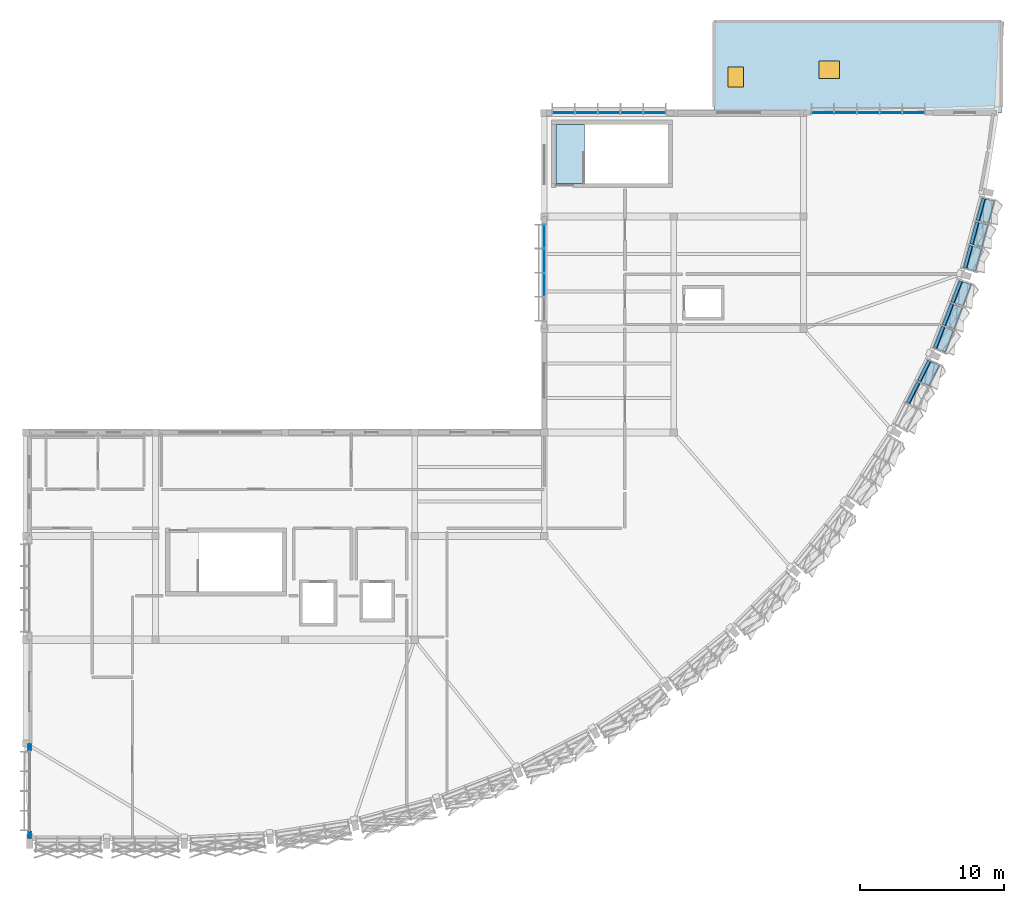
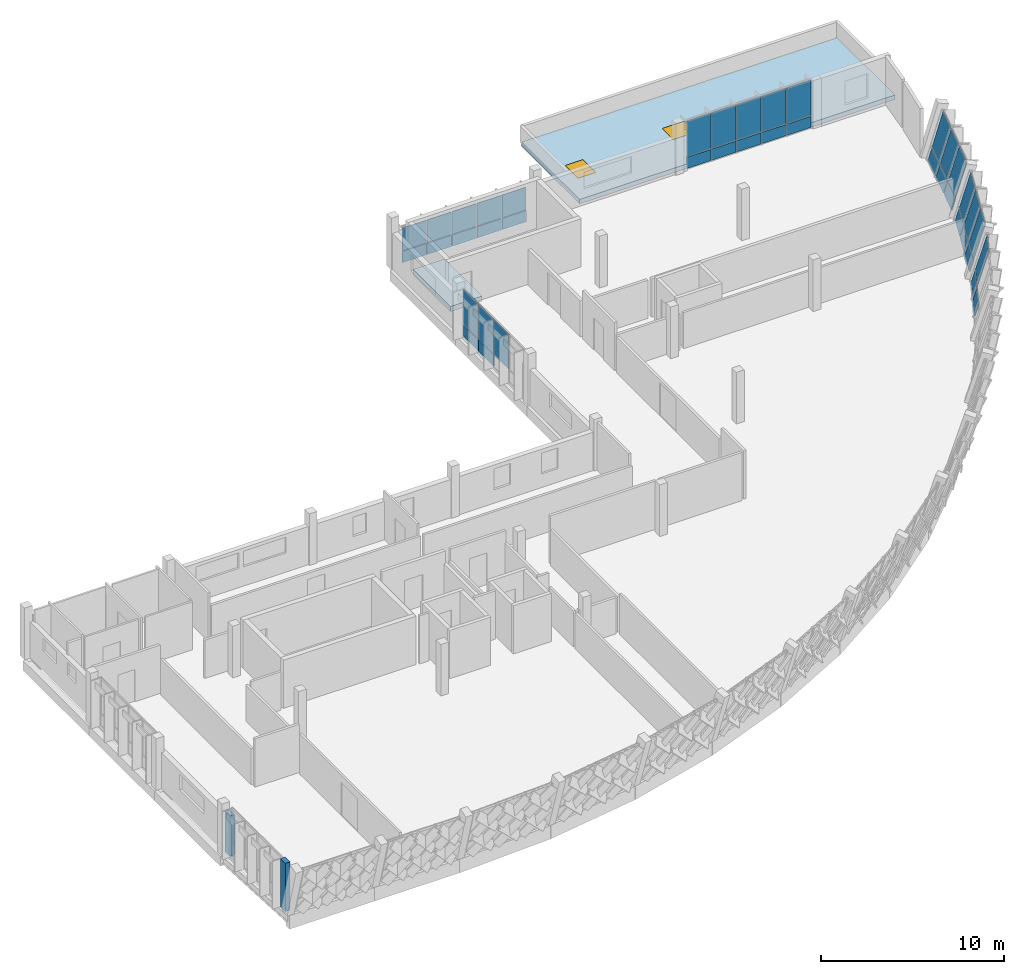
# One storey, part 20 of 24: 40 plates, 2 slabs, 2 walls, 1 door, 1 window, 2 openings, 6 elements without a shape of their own.
"""IFC4 building model written with IfcOpenShell, lengths in metres."""

from ifc_helpers import new_model, si_unit, direction, frame, frame_2d, origin, origin_2d, place, context, subcontext, project, spatial, polyline, rectangle, outline, extrude, material, layer, layer_set, type_object, element, fill, aggregate, save


model = new_model("IFC4")

# Units and contexts
model_context = context("Model", 3, precision=1e-05, world=origin(), true_north=direction((0.0, 1.0)))
body_context = subcontext(model_context, "Body", "Model", "MODEL_VIEW")
ifc_project = project(units=[si_unit("LENGTHUNIT", "METRE"), si_unit("AREAUNIT", "SQUARE_METRE"), si_unit("VOLUMEUNIT", "CUBIC_METRE"), si_unit("PLANEANGLEUNIT", "RADIAN"), si_unit("MASSUNIT", "GRAM", prefix="KILO")], contexts=[model_context])

# Site, building, storey
site_placement = place(None, origin())
site = spatial("IfcSite", under=ifc_project, at=site_placement, CompositionType="ELEMENT")
building_placement = place(site_placement, origin())
building = spatial("IfcBuilding", under=site, at=building_placement, Name="Chiffa Square Polytechnic", CompositionType="ELEMENT")
storey_placement = place(building_placement, frame((0.0, 0.0, 26.39990234375)))
storey = spatial("IfcBuildingStorey", under=building, at=storey_placement, Name="L06", CompositionType="ELEMENT", Elevation=26.39990234375)

# Curtain wall, plate
ifc_material_1 = material(Name="Aluminium EN AW-6060 T66 and glulam shading", Category="wood")
curtain_wall_type_1 = type_object("IfcCurtainWallType", Name="CW-PROW-LEAN-150", PredefinedType="USERDEFINED", material=ifc_material_1)
curtain_wall_1_placement = place(storey_placement, origin())
curtain_wall_1 = element("IfcCurtainWall", 1, at=curtain_wall_1_placement, inside=storey, type_object=curtain_wall_type_1, Name="Outward-leaning diamond-fin prow curtain wall CW-V1-L06-107", ObjectType="CURTAIN WALL", PredefinedType="USERDEFINED")
ifc_material_2 = material(Name="Double glazing", Category="glass")
ifc_layer_1 = layer(ifc_material_2, 0.0458984375, Name="Double glazing")
ifc_layer_set_1 = layer_set([ifc_layer_1], Name="Double glazing")
plate_type_1 = type_object("IfcPlateType", Name="CWP-GLZ-128X106", PredefinedType="CURTAIN_PANEL", material=ifc_layer_set_1)
plate_1_placement = place(storey_placement, frame((174.333984375, 32.31982421875, 0.878173828125), z_axis=(-0.85743101637, 0.436878351927, 0.271936312002), x_axis=(0.453983248185, 0.891010218896, -1.3819687e-05)))
plate_1 = element("IfcPlate", 2, at=plate_1_placement, type_object=plate_type_1, Name="Leaning prow curtain panel CW-V1-L06-107-PN03", PredefinedType="CURTAIN_PANEL", context=body_context, shape_type="SweptSolid", body=[
    extrude(outline(polyline([(0.0, 0.0), (1.5795953886358811, 0.0), (1.6128643226725525, -2.3817709162858582), (0.012085555915977328, -2.381725243337852), (0.0, 0.0)])), origin(), (0.0, 0.0, -1.0), 0.0458984375),
])

# Curtain wall, plates
curtain_wall_type_2 = type_object("IfcCurtainWallType", Name="CW-VERT-450X440", PredefinedType="USERDEFINED", material=ifc_material_1)
curtain_wall_2_placement = place(storey_placement, origin())
curtain_wall_2 = element("IfcCurtainWall", 3, at=curtain_wall_2_placement, inside=storey, type_object=curtain_wall_type_2, Name="Curtain wall CW-V1-L06-144", ObjectType="CURTAIN WALL", PredefinedType="USERDEFINED")
ifc_layer_2 = layer(ifc_material_2, 0.0419921875, Name="Double glazing")
ifc_layer_set_2 = layer_set([ifc_layer_2], Name="Double glazing")
plate_type_2 = type_object("IfcPlateType", Name="CWP-GLZ-138X126", PredefinedType="CURTAIN_PANEL", material=ifc_layer_set_2)
plate_2_placement = place(storey_placement, frame((148.199951171875, 42.408935546875, 0.840087890625), z_axis=(0.0, 0.0, 1.0), x_axis=(0.0, -1.0, 0.0)))
plate_2 = element("IfcPlate", 4, at=plate_2_placement, type_object=plate_type_2, Name="Glazed curtain panel CW-V1-L06-144-PN01", PredefinedType="CURTAIN_PANEL", context=body_context, shape_type="SweptSolid", body=[
    extrude(rectangle(XDim=1.60595703125, YDim=0.0419921875, at=origin_2d()), origin(), (0.0, 0.0, 1.0), 2.330078125),
])
plate_3_placement = place(storey_placement, frame((148.199951171875, 40.739990234375, 0.840087890625), z_axis=(0.0, 0.0, 1.0), x_axis=(0.0, -1.0, 0.0)))
plate_3 = element("IfcPlate", 5, at=plate_3_placement, type_object=plate_type_2, Name="Glazed curtain panel CW-V1-L06-144-PN02", PredefinedType="CURTAIN_PANEL", context=body_context, shape_type="SweptSolid", body=[
    extrude(rectangle(XDim=1.6279296875, YDim=0.0419921875, at=origin_2d()), origin(), (0.0, 0.0, 1.0), 2.330078125),
])
plate_4_placement = place(storey_placement, frame((148.199951171875, 39.06005859375, 0.840087890625), z_axis=(0.0, 0.0, 1.0), x_axis=(0.0, -1.0, 0.0)))
plate_4 = element("IfcPlate", 6, at=plate_4_placement, type_object=plate_type_2, Name="Glazed curtain panel CW-V1-L06-144-PN03", PredefinedType="CURTAIN_PANEL", context=body_context, shape_type="SweptSolid", body=[
    extrude(rectangle(XDim=1.6279296875, YDim=0.0419921875, at=origin_2d()), origin(), (0.0, 0.0, 1.0), 2.330078125),
])

curtain_wall_type_3 = type_object("IfcCurtainWallType", Name="CW-VERT-540X440", PredefinedType="USERDEFINED", material=ifc_material_1)
curtain_wall_3_placement = place(storey_placement, origin())
curtain_wall_3 = element("IfcCurtainWall", 7, at=curtain_wall_3_placement, inside=storey, type_object=curtain_wall_type_3, Name="Curtain wall CW-V1-L06-143", ObjectType="CURTAIN WALL", PredefinedType="USERDEFINED")
ifc_layer_3 = layer(ifc_material_2, 0.0400390625, Name="Double glazing")
ifc_layer_set_3 = layer_set([ifc_layer_3], Name="Double glazing")
plate_type_3 = type_object("IfcPlateType", Name="CWP-GLZ-140X130", PredefinedType="CURTAIN_PANEL", material=ifc_layer_set_3)
plate_5_placement = place(storey_placement, frame((155.85693359375, 51.0, 0.83984375), z_axis=(0.0, 0.0, 1.0), x_axis=(-1.0, 0.0, 0.0)))
plate_5 = element("IfcPlate", 8, at=plate_5_placement, type_object=plate_type_3, Name="Glazed curtain panel CW-V1-L06-143-PN01", PredefinedType="CURTAIN_PANEL", context=body_context, shape_type="SweptSolid", body=[
    extrude(rectangle(XDim=1.510009765625, YDim=0.0400390625, at=origin_2d()), origin(), (0.0, 0.0, 1.0), 1.514892578125),
])
plate_6_placement = place(storey_placement, frame((154.283935546875, 51.0, 0.83984375), z_axis=(0.0, 0.0, 1.0), x_axis=(-1.0, 0.0, 0.0)))
plate_6 = element("IfcPlate", 9, at=plate_6_placement, type_object=plate_type_3, Name="Glazed curtain panel CW-V1-L06-143-PN02", PredefinedType="CURTAIN_PANEL", context=body_context, shape_type="SweptSolid", body=[
    extrude(rectangle(XDim=1.531982421875, YDim=0.0400390625, at=origin_2d()), origin(), (0.0, 0.0, 1.0), 1.514892578125),
])
plate_7_placement = place(storey_placement, frame((152.699951171875, 51.0, 0.83984375), z_axis=(0.0, 0.0, 1.0), x_axis=(-1.0, 0.0, 0.0)))
plate_7 = element("IfcPlate", 10, at=plate_7_placement, type_object=plate_type_3, Name="Glazed curtain panel CW-V1-L06-143-PN03", PredefinedType="CURTAIN_PANEL", context=body_context, shape_type="SweptSolid", body=[
    extrude(rectangle(XDim=1.531982421875, YDim=0.0400390625, at=origin_2d()), origin(), (0.0, 0.0, 1.0), 1.514892578125),
])
plate_8_placement = place(storey_placement, frame((151.115966796875, 51.0, 0.83984375), z_axis=(0.0, 0.0, 1.0), x_axis=(-1.0, 0.0, 0.0)))
plate_8 = element("IfcPlate", 11, at=plate_8_placement, type_object=plate_type_3, Name="Glazed curtain panel CW-V1-L06-143-PN04", PredefinedType="CURTAIN_PANEL", context=body_context, shape_type="SweptSolid", body=[
    extrude(rectangle(XDim=1.531982421875, YDim=0.0400390625, at=origin_2d()), origin(), (0.0, 0.0, 1.0), 1.514892578125),
])
plate_9_placement = place(storey_placement, frame((149.54296875, 51.0, 0.83984375), z_axis=(0.0, 0.0, 1.0), x_axis=(-1.0, 0.0, 0.0)))
plate_9 = element("IfcPlate", 12, at=plate_9_placement, type_object=plate_type_3, Name="Glazed curtain panel CW-V1-L06-143-PN05", PredefinedType="CURTAIN_PANEL", context=body_context, shape_type="SweptSolid", body=[
    extrude(rectangle(XDim=1.510009765625, YDim=0.0400390625, at=origin_2d()), origin(), (0.0, 0.0, 1.0), 1.514892578125),
])

curtain_wall_type_4 = type_object("IfcCurtainWallType", Name="CW-VERT-480X380", PredefinedType="USERDEFINED", material=ifc_material_1)
curtain_wall_4_placement = place(storey_placement, origin())
curtain_wall_4 = element("IfcCurtainWall", 13, at=curtain_wall_4_placement, inside=storey, type_object=curtain_wall_type_4, Name="Curtain wall CW-V1-L06-142", ObjectType="CURTAIN WALL", PredefinedType="USERDEFINED")
ifc_layer_4 = layer(ifc_material_2, 0.0400390625, Name="Double glazing")
ifc_layer_set_4 = layer_set([ifc_layer_4], Name="Double glazing")
plate_type_4 = type_object("IfcPlateType", Name="CWP-GLZ-144X134", PredefinedType="CURTAIN_PANEL", material=ifc_layer_set_4)
plate_10_placement = place(storey_placement, frame((173.85693359375, 51.0, 0.840087890625), z_axis=(0.0, 0.0, 1.0), x_axis=(-1.0, 0.0, 0.0)))
plate_10 = element("IfcPlate", 14, at=plate_10_placement, type_object=plate_type_4, Name="Glazed curtain panel CW-V1-L06-142-PN01", PredefinedType="CURTAIN_PANEL", context=body_context, shape_type="SweptSolid", body=[
    extrude(rectangle(XDim=1.510009765625, YDim=0.0400390625, at=origin_2d()), origin(), (0.0, 0.0, 1.0), 2.330078125),
])
plate_11_placement = place(storey_placement, frame((172.283935546875, 51.0, 0.840087890625), z_axis=(0.0, 0.0, 1.0), x_axis=(-1.0, 0.0, 0.0)))
plate_11 = element("IfcPlate", 15, at=plate_11_placement, type_object=plate_type_4, Name="Glazed curtain panel CW-V1-L06-142-PN02", PredefinedType="CURTAIN_PANEL", context=body_context, shape_type="SweptSolid", body=[
    extrude(rectangle(XDim=1.531982421875, YDim=0.0400390625, at=origin_2d()), origin(), (0.0, 0.0, 1.0), 2.330078125),
])
plate_12_placement = place(storey_placement, frame((170.699951171875, 51.0, 0.840087890625), z_axis=(0.0, 0.0, 1.0), x_axis=(-1.0, 0.0, 0.0)))
plate_12 = element("IfcPlate", 16, at=plate_12_placement, type_object=plate_type_4, Name="Glazed curtain panel CW-V1-L06-142-PN03", PredefinedType="CURTAIN_PANEL", context=body_context, shape_type="SweptSolid", body=[
    extrude(rectangle(XDim=1.531982421875, YDim=0.0400390625, at=origin_2d()), origin(), (0.0, 0.0, 1.0), 2.330078125),
])
plate_13_placement = place(storey_placement, frame((169.115966796875, 51.0, 0.840087890625), z_axis=(0.0, 0.0, 1.0), x_axis=(-1.0, 0.0, 0.0)))
plate_13 = element("IfcPlate", 17, at=plate_13_placement, type_object=plate_type_4, Name="Glazed curtain panel CW-V1-L06-142-PN04", PredefinedType="CURTAIN_PANEL", context=body_context, shape_type="SweptSolid", body=[
    extrude(rectangle(XDim=1.531982421875, YDim=0.0400390625, at=origin_2d()), origin(), (0.0, 0.0, 1.0), 2.330078125),
])
plate_14_placement = place(storey_placement, frame((167.54296875, 51.0, 0.840087890625), z_axis=(0.0, 0.0, 1.0), x_axis=(-1.0, 0.0, 0.0)))
plate_14 = element("IfcPlate", 18, at=plate_14_placement, type_object=plate_type_4, Name="Glazed curtain panel CW-V1-L06-142-PN05", PredefinedType="CURTAIN_PANEL", context=body_context, shape_type="SweptSolid", body=[
    extrude(rectangle(XDim=1.510009765625, YDim=0.0400390625, at=origin_2d()), origin(), (0.0, 0.0, 1.0), 2.330078125),
])

curtain_wall_5_placement = place(storey_placement, origin())
curtain_wall_5 = element("IfcCurtainWall", 19, at=curtain_wall_5_placement, inside=storey, type_object=curtain_wall_type_1, Name="Outward-leaning diamond-fin prow curtain wall CW-V1-L06-109", ObjectType="CURTAIN WALL", PredefinedType="USERDEFINED")
ifc_layer_5 = layer(ifc_material_2, 0.035888671875, Name="Double glazing")
ifc_layer_set_5 = layer_set([ifc_layer_5], Name="Double glazing")
plate_type_5 = type_object("IfcPlateType", Name="CWP-GLZ-150X125", PredefinedType="CURTAIN_PANEL", material=ifc_layer_set_5)
plate_15_placement = place(storey_placement, frame((177.5390625, 40.20947265625, 0.878173828125), z_axis=(-0.929466892714, 0.249300704356, 0.27191994071), x_axis=(0.259058267322, 0.965861695029, -1.4409098e-05)))
plate_15 = element("IfcPlate", 20, at=plate_15_placement, type_object=plate_type_5, Name="Leaning prow curtain panel CW-V1-L06-109-PN01", PredefinedType="CURTAIN_PANEL", context=body_context, shape_type="SweptSolid", body=[
    extrude(outline(polyline([(0.0, 0.0), (1.5797893676668933, 2.7755575615628914e-17), (1.567953631561312, -2.3817597818748495), (-0.03286231345807712, -2.381712157738772), (0.0, 0.0)])), origin(), (0.0, 0.0, -1.0), 0.035888671875),
])
plate_16_placement = place(storey_placement, frame((177.97998046875, 41.853759765625, 0.878173828125), z_axis=(-0.929471989167, 0.249282260286, 0.271919429356), x_axis=(0.259037624004, 0.96586723154, -1.9678484e-05)))
plate_16 = element("IfcPlate", 21, at=plate_16_placement, type_object=plate_type_5, Name="Leaning prow curtain panel CW-V1-L06-109-PN02", PredefinedType="CURTAIN_PANEL", context=body_context, shape_type="SweptSolid", body=[
    extrude(outline(polyline([(0.0, 0.0), (1.580025176315542, -1.3877787807814457e-17), (1.5906681788148578, -2.3817684746370125), (-0.01014776369657977, -2.381703429611208), (0.0, 0.0)])), origin(), (0.0, 0.0, -1.0), 0.035888671875),
])
plate_17_placement = place(storey_placement, frame((178.4208984375, 43.498291015625, 0.878173828125), z_axis=(-0.92944369852, 0.249274672799, 0.272023066636), x_axis=(0.259040480302, 0.965866465657, -9.209205e-06)))
plate_17 = element("IfcPlate", 22, at=plate_17_placement, type_object=plate_type_5, Name="Leaning prow curtain panel CW-V1-L06-109-PN03", PredefinedType="CURTAIN_PANEL", context=body_context, shape_type="SweptSolid", body=[
    extrude(outline(polyline([(0.0, 0.0), (1.5797893689795692, 0.0), (1.6132619919904125, -2.3818238816188266), (0.012210241623610497, -2.3817934406972605), (0.0, 0.0)])), origin(), (0.0, 0.0, -1.0), 0.035888671875),
])

curtain_wall_type_5 = type_object("IfcCurtainWallType", Name="CW-PROW-LEAN-300", PredefinedType="USERDEFINED", material=ifc_material_1)
curtain_wall_6_placement = place(storey_placement, origin())
curtain_wall_6 = element("IfcCurtainWall", 23, at=curtain_wall_6_placement, inside=storey, type_object=curtain_wall_type_5, Name="Outward-leaning diamond-fin prow curtain wall CW-V1-L06-108", ObjectType="CURTAIN WALL", PredefinedType="USERDEFINED")
ifc_layer_6 = layer(ifc_material_2, 0.035888671875, Name="Double glazing")
ifc_layer_set_6 = layer_set([ifc_layer_6], Name="Double glazing")
plate_type_6 = type_object("IfcPlateType", Name="CWP-GLZ-150X145", PredefinedType="CURTAIN_PANEL", material=ifc_layer_set_6)
plate_18_placement = place(storey_placement, frame((175.449951171875, 34.623291015625, 0.878173828125), z_axis=(-0.898418066779, 0.344874944815, 0.27185703913), x_axis=(0.358372544825, 0.93357866252, 1.762657e-06)))
plate_18 = element("IfcPlate", 24, at=plate_18_placement, type_object=plate_type_6, Name="Leaning prow curtain panel CW-V1-L06-108-PN01", PredefinedType="CURTAIN_PANEL", context=body_context, shape_type="SweptSolid", body=[
    extrude(outline(polyline([(0.0, 0.0), (1.5797887284502485, -2.7755575615628914e-17), (1.5676105879394404, -2.381689448844056), (-0.03335231545067422, -2.3816952748377664), (0.0, 0.0)])), origin(), (0.0, 0.0, -1.0), 0.035888671875),
])
plate_19_placement = place(storey_placement, frame((176.06005859375, 36.212646484375, 0.878173828125), z_axis=(-0.898403962316, 0.344869530548, 0.271910513577), x_axis=(0.358372545008, 0.93357866245, 1.762976e-06)))
plate_19 = element("IfcPlate", 25, at=plate_19_placement, type_object=plate_type_6, Name="Leaning prow curtain panel CW-V1-L06-108-PN02", PredefinedType="CURTAIN_PANEL", context=body_context, shape_type="SweptSolid", body=[
    extrude(outline(polyline([(0.0, 0.0), (1.5797887284502494, 2.7755575615628914e-17), (1.5904147904975683, -2.381726797798695), (-0.010548112892543357, -2.381732624938383), (0.0, 0.0)])), origin(), (0.0, 0.0, -1.0), 0.035888671875),
])
plate_20_placement = place(storey_placement, frame((176.670166015625, 37.802001953125, 0.878173828125), z_axis=(-0.898454398365, 0.344786676387, 0.27184893203), x_axis=(0.358282990146, 0.933613034826, 1.3217072e-05)))
plate_20 = element("IfcPlate", 26, at=plate_20_placement, type_object=plate_type_6, Name="Leaning prow curtain panel CW-V1-L06-108-PN03", PredefinedType="CURTAIN_PANEL", context=body_context, shape_type="SweptSolid", body=[
    extrude(outline(polyline([(0.0, 0.0), (1.5800166529707897, 0.0), (1.6130081589034604, -2.3816644988288753), (0.012132733351988344, -2.381708186175665), (0.0, 0.0)])), origin(), (0.0, 0.0, -1.0), 0.035888671875),
])

# Plate
ifc_material_3 = material(Name="Aluminium insulated spandrel", Category="aluminium")
ifc_layer_7 = layer(ifc_material_3, 0.072021484375, Name="Aluminium insulated spandrel")
ifc_layer_set_7 = layer_set([ifc_layer_7], Name="Aluminium insulated spandrel")
plate_type_7 = type_object("IfcPlateType", Name="CWP-SPN-136X072", PredefinedType="SHEET", material=ifc_layer_set_7)
plate_21_placement = place(storey_placement, frame((177.316162109375, 40.281494140625, 0.050048828125), z_axis=(-0.929468825283, 0.249269688968, 0.271941767642), x_axis=(0.259027565221, 0.965869929252, -1.4893214e-05)))
plate_21 = element("IfcPlate", 27, at=plate_21_placement, type_object=plate_type_7, Name="Leaning prow curtain panel CW-V1-L06-109-SP01", PredefinedType="SHEET", context=body_context, shape_type="SweptSolid", body=[
    extrude(outline(polyline([(0.0, 0.0), (1.5724450216472858, -1.3877787807814457e-17), (1.5682755499008343, -0.8022290502410798), (-0.01104220334107578, -0.8021802720954123), (0.0, 0.0)])), origin(), (0.0, 0.0, -1.0), 0.072021484375),
])

plate_22_placement = place(storey_placement, frame((177.7548828125, 41.91796875, 0.050048828125), z_axis=(-0.929468661567, 0.249175119135, 0.272028982221), x_axis=(0.258942703531, 0.965892683578, 9.938541e-06)))
plate_22 = element("IfcPlate", 28, at=plate_22_placement, type_object=plate_type_7, Name="Leaning prow curtain panel CW-V1-L06-109-SP02", PredefinedType="SHEET", context=body_context, shape_type="SweptSolid", body=[
    extrude(outline(polyline([(0.0, 0.0), (1.572445022955984, 0.0), (1.5760915164355231, -0.8022090505142578), (-0.003398817571461492, -0.8022416037671719), (0.0, 0.0)])), origin(), (0.0, 0.0, -1.0), 0.072021484375),
])

plate_23_placement = place(storey_placement, frame((178.19384765625, 43.554443359375, 0.050048828125), z_axis=(-0.92949551626, 0.249276847091, 0.271843960311), x_axis=(0.259030438609, 0.965869158766, -4.367718e-06)))
plate_23 = element("IfcPlate", 29, at=plate_23_placement, type_object=plate_type_7, Name="Leaning prow curtain panel CW-V1-L06-109-SP03", PredefinedType="SHEET", context=body_context, shape_type="SweptSolid", body=[
    extrude(outline(polyline([(0.0, 0.0), (1.5722092136530963, 0.0), (1.5836804440069334, -0.8021889307890975), (0.004126882425839254, -0.8021746260835808), (0.0, 0.0)])), origin(), (0.0, 0.0, -1.0), 0.072021484375),
])

aggregate(curtain_wall_5, [plate_21, plate_15, plate_22, plate_16, plate_23, plate_17])

ifc_layer_8 = layer(ifc_material_3, 0.070068359375, Name="Aluminium insulated spandrel")
ifc_layer_set_8 = layer_set([ifc_layer_8], Name="Aluminium insulated spandrel")
plate_type_8 = type_object("IfcPlateType", Name="CWP-SPN-138X074", PredefinedType="SHEET", material=ifc_layer_set_8)
plate_24_placement = place(storey_placement, frame((175.23583984375, 34.71826171875, 0.050048828125), z_axis=(-0.898403107536, 0.344943256043, 0.271819805166), x_axis=(0.358435980803, 0.933554308823, -1.2007852e-05)))
plate_24 = element("IfcPlate", 30, at=plate_24_placement, type_object=plate_type_8, Name="Leaning prow curtain panel CW-V1-L06-108-SP01", PredefinedType="SHEET", context=body_context, shape_type="SweptSolid", body=[
    extrude(outline(polyline([(0.0, 0.0), (1.572216491292958, 5.551115123125783e-17), (1.5680838681269909, -0.8021956216284528), (-0.011249020169641062, -0.8021562976708155), (0.0, 0.0)])), origin(), (0.0, 0.0, -1.0), 0.070068359375),
])

plate_25_placement = place(storey_placement, frame((175.843017578125, 36.300048828125, 0.050048828125), z_axis=(-0.898425589907, 0.344848720454, 0.271865443557), x_axis=(0.358349451739, 0.933587526822, 1.4174348e-05)))
plate_25 = element("IfcPlate", 31, at=plate_25_placement, type_object=plate_type_8, Name="Leaning prow curtain panel CW-V1-L06-108-SP02", PredefinedType="SHEET", context=body_context, shape_type="SweptSolid", body=[
    extrude(outline(polyline([(0.0, 0.0), (1.5722164906901661, 5.551115123125783e-17), (1.5758840263565308, -0.8021635906307771), (-0.003589286908929044, -0.8022100122352823), (0.0, 0.0)])), origin(), (0.0, 0.0, -1.0), 0.070068359375),
])

plate_26_placement = place(storey_placement, frame((176.4501953125, 37.8818359375, 0.050048828125), z_axis=(-0.898434699114, 0.344852216902, 0.271830903185), x_axis=(0.358349450789, 0.933587527186, 1.4172691e-05)))
plate_26 = element("IfcPlate", 32, at=plate_26_placement, type_object=plate_type_8, Name="Leaning prow curtain panel CW-V1-L06-108-SP03", PredefinedType="SHEET", context=body_context, shape_type="SweptSolid", body=[
    extrude(outline(polyline([(0.0, 0.0), (1.5722164906901228, -2.7755575615628914e-17), (1.5834562617321437, -0.8021553487101962), (0.003982948466553639, -0.8022017644168592), (0.0, 0.0)])), origin(), (0.0, 0.0, -1.0), 0.070068359375),
])

aggregate(curtain_wall_6, [plate_24, plate_18, plate_25, plate_19, plate_26, plate_20])

ifc_layer_9 = layer(ifc_material_3, 0.068115234375, Name="Aluminium insulated spandrel")
ifc_layer_set_9 = layer_set([ifc_layer_9], Name="Aluminium insulated spandrel")
plate_type_9 = type_object("IfcPlateType", Name="CWP-SPN-140X076", PredefinedType="SHEET", material=ifc_layer_set_9)
plate_27_placement = place(storey_placement, frame((173.354248046875, 30.91259765625, 0.050048828125), z_axis=(-0.857444997965, 0.436886156688, 0.271879682137), x_axis=(0.453990652013, 0.891006446501, 1.3357729e-05)))
plate_27 = element("IfcPlate", 33, at=plate_27_placement, type_object=plate_type_9, Name="Leaning prow curtain panel CW-V1-L06-107-SP02", PredefinedType="SHEET", context=body_context, shape_type="SweptSolid", body=[
    extrude(outline(polyline([(0.0, 0.0), (1.5722811661398652, -2.7755575615628914e-17), (1.5756935700899846, -0.8021682836218124), (-0.003355918556394656, -0.8022120259626865), (0.0, 0.0)])), origin(), (0.0, 0.0, -1.0), 0.068115234375),
])

plate_28_placement = place(storey_placement, frame((174.123291015625, 32.422119140625, 0.050048828125), z_axis=(-0.857399416452, 0.436899493986, 0.272001972094), x_axis=(0.454018586839, 0.890992212527, 4.502231e-06)))
plate_28 = element("IfcPlate", 34, at=plate_28_placement, type_object=plate_type_9, Name="Leaning prow curtain panel CW-V1-L06-107-SP03", PredefinedType="SHEET", context=body_context, shape_type="SweptSolid", body=[
    extrude(outline(polyline([(0.0, 0.0), (1.5722811678221142, 0.0), (1.5834470037421977, -0.8022115549936208), (0.004069146673350706, -0.8022263004419522), (0.0, 0.0)])), origin(), (0.0, 0.0, -1.0), 0.068115234375),
])

aggregate(curtain_wall_1, [plate_27, plate_28, plate_1])

ifc_layer_10 = layer(ifc_material_3, 0.06201171875, Name="Aluminium insulated spandrel")
ifc_layer_set_10 = layer_set([ifc_layer_10], Name="Aluminium insulated spandrel")
plate_type_10 = type_object("IfcPlateType", Name="CWP-SPN-148X084", PredefinedType="SHEET", material=ifc_layer_set_10)
plate_29_placement = place(storey_placement, frame((148.199951171875, 42.408935546875, 0.050048828125), z_axis=(0.0, 0.0, 1.0), x_axis=(0.0, -1.0, 0.0)))
plate_29 = element("IfcPlate", 35, at=plate_29_placement, type_object=plate_type_10, Name="Spandrel panel CW-V1-L06-144-SP01", PredefinedType="SHEET", context=body_context, shape_type="SweptSolid", body=[
    extrude(rectangle(XDim=1.60595703125, YDim=0.06201171875, at=origin_2d()), origin(), (0.0, 0.0, 1.0), 0.75),
])

plate_30_placement = place(storey_placement, frame((148.199951171875, 40.739990234375, 0.050048828125), z_axis=(0.0, 0.0, 1.0), x_axis=(0.0, -1.0, 0.0)))
plate_30 = element("IfcPlate", 36, at=plate_30_placement, type_object=plate_type_10, Name="Spandrel panel CW-V1-L06-144-SP02", PredefinedType="SHEET", context=body_context, shape_type="SweptSolid", body=[
    extrude(rectangle(XDim=1.6279296875, YDim=0.06201171875, at=origin_2d()), origin(), (0.0, 0.0, 1.0), 0.75),
])

aggregate(curtain_wall_2, [plate_29, plate_2, plate_30, plate_3, plate_4])

ifc_layer_11 = layer(ifc_material_3, 0.06005859375, Name="Aluminium insulated spandrel")
ifc_layer_set_11 = layer_set([ifc_layer_11], Name="Aluminium insulated spandrel")
plate_type_11 = type_object("IfcPlateType", Name="CWP-SPN-150X080", PredefinedType="SHEET", material=ifc_layer_set_11)
plate_31_placement = place(storey_placement, frame((155.85693359375, 51.0, 0.050048828125), z_axis=(0.0, 0.0, 1.0), x_axis=(-1.0, 0.0, 0.0)))
plate_31 = element("IfcPlate", 37, at=plate_31_placement, type_object=plate_type_11, Name="Spandrel panel CW-V1-L06-143-SP01", PredefinedType="SHEET", context=body_context, shape_type="SweptSolid", body=[
    extrude(rectangle(XDim=1.510009765625, YDim=0.06005859375, at=origin_2d()), origin(), (0.0, 0.0, 1.0), 0.75),
])

plate_32_placement = place(storey_placement, frame((154.283935546875, 51.0, 0.050048828125), z_axis=(0.0, 0.0, 1.0), x_axis=(-1.0, 0.0, 0.0)))
plate_32 = element("IfcPlate", 38, at=plate_32_placement, type_object=plate_type_11, Name="Spandrel panel CW-V1-L06-143-SP02", PredefinedType="SHEET", context=body_context, shape_type="SweptSolid", body=[
    extrude(rectangle(XDim=1.531982421875, YDim=0.06005859375, at=origin_2d()), origin(), (0.0, 0.0, 1.0), 0.75),
])

plate_33_placement = place(storey_placement, frame((152.699951171875, 51.0, 0.050048828125), z_axis=(0.0, 0.0, 1.0), x_axis=(-1.0, 0.0, 0.0)))
plate_33 = element("IfcPlate", 39, at=plate_33_placement, type_object=plate_type_11, Name="Spandrel panel CW-V1-L06-143-SP03", PredefinedType="SHEET", context=body_context, shape_type="SweptSolid", body=[
    extrude(rectangle(XDim=1.531982421875, YDim=0.06005859375, at=origin_2d()), origin(), (0.0, 0.0, 1.0), 0.75),
])

plate_34_placement = place(storey_placement, frame((151.115966796875, 51.0, 0.050048828125), z_axis=(0.0, 0.0, 1.0), x_axis=(-1.0, 0.0, 0.0)))
plate_34 = element("IfcPlate", 40, at=plate_34_placement, type_object=plate_type_11, Name="Spandrel panel CW-V1-L06-143-SP04", PredefinedType="SHEET", context=body_context, shape_type="SweptSolid", body=[
    extrude(rectangle(XDim=1.531982421875, YDim=0.06005859375, at=origin_2d()), origin(), (0.0, 0.0, 1.0), 0.75),
])

plate_35_placement = place(storey_placement, frame((149.54296875, 51.0, 0.050048828125), z_axis=(0.0, 0.0, 1.0), x_axis=(-1.0, 0.0, 0.0)))
plate_35 = element("IfcPlate", 41, at=plate_35_placement, type_object=plate_type_11, Name="Spandrel panel CW-V1-L06-143-SP05", PredefinedType="SHEET", context=body_context, shape_type="SweptSolid", body=[
    extrude(rectangle(XDim=1.510009765625, YDim=0.06005859375, at=origin_2d()), origin(), (0.0, 0.0, 1.0), 0.75),
])

aggregate(curtain_wall_3, [plate_31, plate_5, plate_32, plate_6, plate_33, plate_7, plate_34, plate_8, plate_35, plate_9])

ifc_layer_12 = layer(ifc_material_3, 0.06005859375, Name="Aluminium insulated spandrel")
ifc_layer_set_12 = layer_set([ifc_layer_12], Name="Aluminium insulated spandrel")
plate_type_12 = type_object("IfcPlateType", Name="CWP-SPN-150X095", PredefinedType="SHEET", material=ifc_layer_set_12)
plate_36_placement = place(storey_placement, frame((173.85693359375, 51.0, 0.050048828125), z_axis=(0.0, 0.0, 1.0), x_axis=(-1.0, 0.0, 0.0)))
plate_36 = element("IfcPlate", 42, at=plate_36_placement, type_object=plate_type_12, Name="Spandrel panel CW-V1-L06-142-SP01", PredefinedType="SHEET", context=body_context, shape_type="SweptSolid", body=[
    extrude(rectangle(XDim=1.510009765625, YDim=0.06005859375, at=origin_2d()), origin(), (0.0, 0.0, 1.0), 0.75),
])

plate_37_placement = place(storey_placement, frame((172.283935546875, 51.0, 0.050048828125), z_axis=(0.0, 0.0, 1.0), x_axis=(-1.0, 0.0, 0.0)))
plate_37 = element("IfcPlate", 43, at=plate_37_placement, type_object=plate_type_12, Name="Spandrel panel CW-V1-L06-142-SP02", PredefinedType="SHEET", context=body_context, shape_type="SweptSolid", body=[
    extrude(rectangle(XDim=1.531982421875, YDim=0.06005859375, at=origin_2d()), origin(), (0.0, 0.0, 1.0), 0.75),
])

plate_38_placement = place(storey_placement, frame((170.699951171875, 51.0, 0.050048828125), z_axis=(0.0, 0.0, 1.0), x_axis=(-1.0, 0.0, 0.0)))
plate_38 = element("IfcPlate", 44, at=plate_38_placement, type_object=plate_type_12, Name="Spandrel panel CW-V1-L06-142-SP03", PredefinedType="SHEET", context=body_context, shape_type="SweptSolid", body=[
    extrude(rectangle(XDim=1.531982421875, YDim=0.06005859375, at=origin_2d()), origin(), (0.0, 0.0, 1.0), 0.75),
])

plate_39_placement = place(storey_placement, frame((169.115966796875, 51.0, 0.050048828125), z_axis=(0.0, 0.0, 1.0), x_axis=(-1.0, 0.0, 0.0)))
plate_39 = element("IfcPlate", 45, at=plate_39_placement, type_object=plate_type_12, Name="Spandrel panel CW-V1-L06-142-SP04", PredefinedType="SHEET", context=body_context, shape_type="SweptSolid", body=[
    extrude(rectangle(XDim=1.531982421875, YDim=0.06005859375, at=origin_2d()), origin(), (0.0, 0.0, 1.0), 0.75),
])

plate_40_placement = place(storey_placement, frame((167.54296875, 51.0, 0.050048828125), z_axis=(0.0, 0.0, 1.0), x_axis=(-1.0, 0.0, 0.0)))
plate_40 = element("IfcPlate", 46, at=plate_40_placement, type_object=plate_type_12, Name="Spandrel panel CW-V1-L06-142-SP05", PredefinedType="SHEET", context=body_context, shape_type="SweptSolid", body=[
    extrude(rectangle(XDim=1.510009765625, YDim=0.06005859375, at=origin_2d()), origin(), (0.0, 0.0, 1.0), 0.75),
])

aggregate(curtain_wall_4, [plate_36, plate_10, plate_37, plate_11, plate_38, plate_12, plate_39, plate_13, plate_40, plate_14])

# Slab
ifc_material_4 = material(Name="Concrete C40/50", Category="concrete")
ifc_layer_13 = layer(ifc_material_4, 0.35009765625, Name="Concrete C40/50")
ifc_layer_set_13 = layer_set([ifc_layer_13], Name="Concrete C40/50")
slab_type_1 = type_object("IfcSlabType", Name="SLB-FLR-350", PredefinedType="FLOOR", material=ifc_layer_set_13)
slab_1_placement = place(storey_placement, frame((0.0, 0.0, -0.349853515625)))
element("IfcSlab", 47, at=slab_1_placement, inside=storey, type_object=slab_type_1, Name="Stair core floor landing slab SLB-CORE-CORE-V1B-L06", PredefinedType="FLOOR", context=body_context, shape_type="SweptSolid", body=[
    extrude(outline(polyline([(149.0, 46.10009765625), (151.011962890625, 46.10009765625), (151.011962890625, 50.199951171875), (149.0, 50.199951171875), (149.0, 46.10009765625)])), origin(), (0.0, 0.0, 1.0), 0.349853515625),
])

# Slab, openings, door, window
ifc_material_5 = material(Name="Concrete C35/45", Category="concrete")
ifc_layer_14 = layer(ifc_material_5, 0.300048828125, Name="Concrete C35/45")
ifc_layer_set_14 = layer_set([ifc_layer_14], Name="Concrete C35/45")
slab_type_2 = type_object("IfcSlabType", Name="SLB-ROOF-300", PredefinedType="ROOF", material=ifc_layer_set_14)
slab_2_placement = place(storey_placement, frame((0.0, 0.0, 0.03515625)))
slab_2 = element("IfcSlab", 48, at=slab_2_placement, inside=storey, type_object=slab_type_2, Name="Faculty north L06 flat roof SLB-ROOF-V1-L06N", PredefinedType="ROOF", context=body_context, shape_type="SweptSolid", body=[
    extrude(outline(polyline([(160.0, 51.0), (179.949951171875, 51.0), (179.949951171875, 57.35009765625), (160.0, 57.35009765625), (160.0, 51.0)]), holes=[polyline([(167.300048828125, 53.39990234375), (168.699951171875, 53.39990234375), (168.699951171875, 54.60009765625), (167.300048828125, 54.60009765625), (167.300048828125, 53.39990234375)]), polyline([(160.949951171875, 52.800048828125), (162.050048828125, 52.800048828125), (162.050048828125, 54.199951171875), (160.949951171875, 54.199951171875), (160.949951171875, 52.800048828125)])]), origin(), (0.0, 0.0, 1.0), 0.300048828125),
])
opening_1_placement = place(slab_2_placement, frame((168.0, 54.0, 0.0)))
opening_1 = element("IfcOpeningElement", 49, at=opening_1_placement, cuts=slab_2, Name="Opening SK-06", PredefinedType="OPENING", context=body_context, shape_type="SweptSolid", body=[
    extrude(rectangle(XDim=1.39990234375, YDim=1.199951171875, at=origin_2d()), frame((0.0, 0.0, -0.010009765625), z_axis=(0.0, 0.0, 1.0), x_axis=(1.0, 0.0, 0.0)), (0.0, 0.0, 1.0), 0.320068359375),
])
opening_2_placement = place(slab_2_placement, frame((161.5, 53.5, 0.0)))
opening_2 = element("IfcOpeningElement", 50, at=opening_2_placement, cuts=slab_2, Name="Opening RH-03", PredefinedType="OPENING", context=body_context, shape_type="SweptSolid", body=[
    extrude(rectangle(XDim=1.10009765625, YDim=1.39990234375, at=origin_2d()), frame((0.0, 0.0, -0.010009765625), z_axis=(0.0, 0.0, 1.0), x_axis=(1.0, 0.0, 0.0)), (0.0, 0.0, 1.0), 0.320068359375),
])
ifc_material_6 = material(Name="Insulated aluminium roof hatch", Category="aluminium")
door_type = type_object("IfcDoorType", Name="DR-HATCH-1100X1400", OperationType="NOTDEFINED", PredefinedType="TRAPDOOR", material=ifc_material_6)
door_placement = place(opening_2_placement, frame((0.0, 0.0, 0.25)))
door = element("IfcDoor", 51, at=door_placement, inside=storey, type_object=door_type, Name="Maintenance roof hatch RH-03", OperationType="SINGLE_SWING_LEFT", OverallHeight=1.39990234375, OverallWidth=1.10009765625, PredefinedType="TRAPDOOR", context=body_context, shape_type="SweptSolid", body=[
    extrude(rectangle(XDim=1.10009765625, YDim=1.39990234375, at=origin_2d()), origin(), (0.0, 0.0, 1.0), 0.050048828125),
])
fill(opening_2, door)
ifc_material_7 = material(Name="Double glazing in thermally broken aluminium frame", Category="aluminium")
window_type = type_object("IfcWindowType", Name="SKY-MOD-1400X1200", PartitioningType="DOUBLE_PANEL_VERTICAL", PredefinedType="SKYLIGHT", material=ifc_material_7)
window_placement = place(opening_1_placement, frame((0.0, 0.0, 0.25)))
window = element("IfcWindow", 52, at=window_placement, inside=storey, type_object=window_type, Name="Roof daylight skylight SKY-06", OverallHeight=1.199951171875, OverallWidth=1.39990234375, PartitioningType="SINGLE_PANEL", PredefinedType="SKYLIGHT", context=body_context, shape_type="SweptSolid", body=[
    extrude(rectangle(XDim=1.39990234375, YDim=1.199951171875, at=origin_2d()), origin(), (0.0, 0.0, 1.0), 0.050048828125),
])
fill(opening_1, window)

# Walls
ifc_material_8 = material(Name="Precast concrete C40/50", Category="concrete")
ifc_layer_15 = layer(ifc_material_8, 0.300048828125, Name="Precast concrete C40/50")
ifc_layer_set_15 = layer_set([ifc_layer_15], Name="Precast concrete C40/50")
wall_type = type_object("IfcWallType", Name="WL-EXT-PC300", PredefinedType="SOLIDWALL", material=ifc_layer_set_15)
wall_1_placement = place(storey_placement, frame((112.449951171875, 7.199951171875, 0.0), z_axis=(0.0, 0.0, 1.0), x_axis=(0.0, -1.0, 0.0)))
element("IfcWall", 53, at=wall_1_placement, inside=storey, type_object=wall_type, Name="Facade column pier V1-L06-0101L", PredefinedType="SOLIDWALL", context=body_context, shape_type="SweptSolid", body=[
    extrude(rectangle(XDim=0.5400390625, YDim=0.300048828125, at=frame_2d((0.27001953125, 0.0))), origin(), (0.0, 0.0, 1.0), 2.705078125),
])
wall_2_placement = place(storey_placement, frame((112.449951171875, 1.135986328125, 0.0), z_axis=(0.0, 0.0, 1.0), x_axis=(0.0, -1.0, 0.0)))
element("IfcWall", 54, at=wall_2_placement, inside=storey, type_object=wall_type, Name="Facade column pier V1-L06-0101R", PredefinedType="SOLIDWALL", context=body_context, shape_type="SweptSolid", body=[
    extrude(rectangle(XDim=0.5400390625, YDim=0.300048828125, at=frame_2d((0.27001953125, 0.0))), origin(), (0.0, 0.0, 1.0), 3.22021484375),
])

save(model, "model.ifc")
